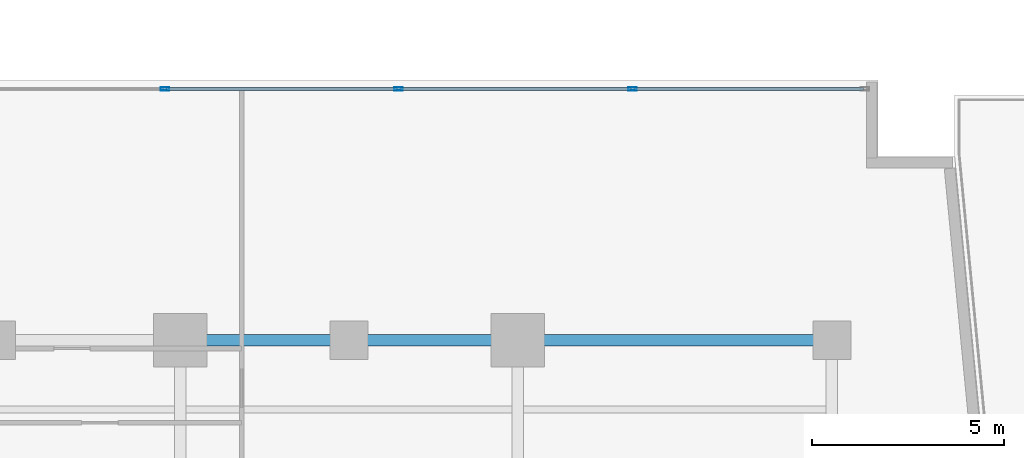
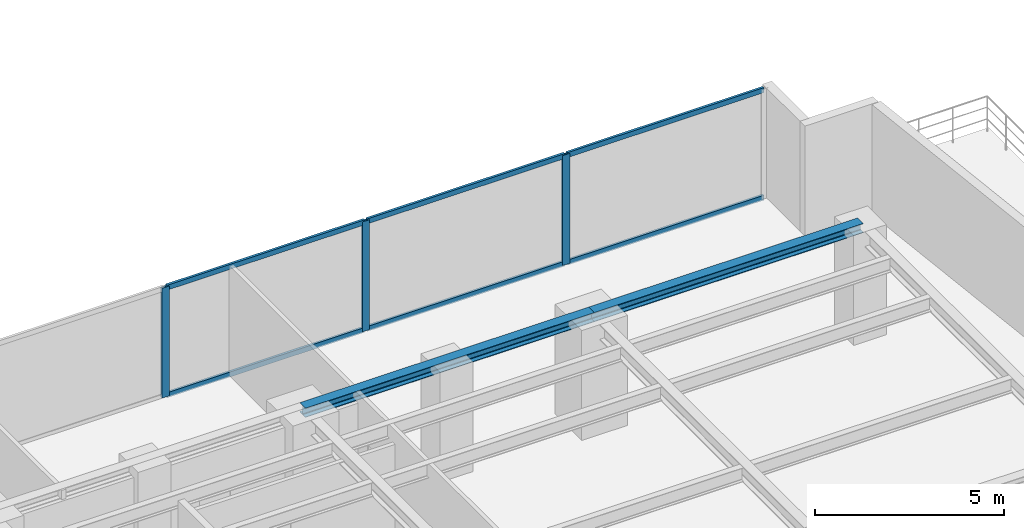
# One storey, part 11 of 26: 9 members, 2 beams, 1 element without a shape of its own.
"""IFC4 building model written with IfcOpenShell, lengths in metres."""

from ifc_helpers import new_model, si_unit, direction, frame, origin, origin_with_axes, origin_2d, place, context, subcontext, project, spatial, hollow_rectangle, i_section, extrude, source, transform, mapped, material, layer, layer_set, material_profile, profile_set, type_object, element, aggregate, save


model = new_model("IFC4")

# Units and contexts
model_context = context("Model", 3, precision=1e-05, world=origin(), true_north=direction((0.0, 1.0)))
body_context = subcontext(model_context, "Body", "Model", "MODEL_VIEW")
ifc_project = project(units=[si_unit("LENGTHUNIT", "METRE"), si_unit("AREAUNIT", "SQUARE_METRE"), si_unit("VOLUMEUNIT", "CUBIC_METRE"), si_unit("PLANEANGLEUNIT", "RADIAN"), si_unit("MASSUNIT", "GRAM", prefix="KILO")], contexts=[model_context])

# Site, building, storey
site_placement = place(None, origin())
site = spatial("IfcSite", under=ifc_project, at=site_placement, CompositionType="ELEMENT")
building_placement = place(site_placement, origin())
building = spatial("IfcBuilding", under=site, at=building_placement, Name="Kolvaren Waterfront Exchange", CompositionType="ELEMENT")
storey_placement = place(building_placement, frame((0.0, 0.0, 87.89990234375)))
storey = spatial("IfcBuildingStorey", under=building, at=storey_placement, Name="L22", CompositionType="ELEMENT", Elevation=87.89990234375)

# Beams
ifc_material_1 = material(Name="Steel S355", Category="steel")
ifc_material_profile_1 = material_profile(ifc_material_1, i_section(OverallWidth=0.300048828125, OverallDepth=0.300048828125, WebThickness=0.010986328125, FlangeThickness=0.01904296875, FilletRadius=0.027099609375, at=origin_2d()), Name="HEB300")
ifc_profile_set_1 = profile_set([ifc_material_profile_1], Name="Steel S355")
beam_type = type_object("IfcBeamType", Name="STR-BM-HEB300", PredefinedType="SPANDREL", material=ifc_profile_set_1)
beam_1_placement = place(storey_placement, frame((36.800048828125, 17.39990234375, 3.39013671875), z_axis=(1.0, 0.0, 0.0), x_axis=(0.0, 1.0, 0.0)))
element("IfcBeam", 1, at=beam_1_placement, inside=storey, type_object=beam_type, Name="L22 east-arm spandrel N3", PredefinedType="SPANDREL", context=body_context, shape_type="SweptSolid", body=[
    extrude(i_section(OverallWidth=0.300048828125, OverallDepth=0.300048828125, WebThickness=0.010986328125, FlangeThickness=0.01904296875, FilletRadius=0.027099609375, at=origin_2d()), origin(), (0.0, 0.0, 1.0), 8.800048828125),
])
beam_2_placement = place(storey_placement, frame((45.60009765625, 17.39990234375, 3.39013671875), z_axis=(1.0, 0.0, 0.0), x_axis=(0.0, 1.0, 0.0)))
element("IfcBeam", 2, at=beam_2_placement, inside=storey, type_object=beam_type, Name="L22 east-arm spandrel N4", PredefinedType="SPANDREL", context=body_context, shape_type="SweptSolid", body=[
    extrude(i_section(OverallWidth=0.300048828125, OverallDepth=0.300048828125, WebThickness=0.010986328125, FlangeThickness=0.01904296875, FilletRadius=0.027099609375, at=origin_2d()), origin(), (0.0, 0.0, 1.0), 8.199951171875),
])

# Curtain wall, members
ifc_material_2 = material(Name="Anodised bronze aluminium 6063-T6", Category="aluminium")
ifc_layer = layer(ifc_material_2, 0.219970703125, Name="Anodised bronze aluminium 6063-T6")
ifc_layer_set = layer_set([ifc_layer], Name="Anodised bronze aluminium 6063-T6")
curtain_wall_type = type_object("IfcCurtainWallType", Name="ARC-CW-SYS1", PredefinedType="USERDEFINED", material=ifc_layer_set)
curtain_wall_placement = place(storey_placement, origin())
curtain_wall = element("IfcCurtainWall", 3, at=curtain_wall_placement, inside=storey, type_object=curtain_wall_type, Name="L22 stick curtain wall CW1 (CW-L22-EN)", ObjectType="STICK CURTAIN WALL", PredefinedType="USERDEFINED")
ifc_material_3 = material(Name="Anodised aluminium 6063-T6", Category="aluminium")
ifc_material_profile_2 = material_profile(ifc_material_3, hollow_rectangle(XDim=0.080078125, YDim=0.219970703125, WallThickness=0.0048828125, at=origin_2d()), Name="ALU-MUL-220x80x5")
ifc_profile_set_2 = profile_set([ifc_material_profile_2], Name="Anodised aluminium 6063-T6")
member_type_1 = type_object("IfcMemberType", Name="ARC-CWM-220", PredefinedType="MULLION", material=ifc_profile_set_2)
shared_shape_1 = source(origin_with_axes(), body_context, "Body", "SweptSolid", [
    extrude(hollow_rectangle(XDim=0.080078125, YDim=0.219970703125, WallThickness=0.0048828125, at=origin_2d()), origin(), (0.0, 0.0, 1.0), 3.5400390625),
])
member_1_placement = place(storey_placement, frame((36.392578125, 23.9599609375, 0.0), z_axis=(0.0, 0.0, 1.0), x_axis=(0.0, 1.0, 0.0)))
member_1 = element("IfcMember", 4, at=member_1_placement, type_object=member_type_1, Name="CW1 mullion 2", PredefinedType="MULLION", context=body_context, shape_type="MappedRepresentation", body=[
    mapped(shared_shape_1, transform((0.0, 0.0, 0.0), x_axis=(1.0, 0.0, 0.0), y_axis=(0.0, 1.0, 0.0), z_axis=(0.0, 0.0, 1.0), scale=1.0)),
])
member_2_placement = place(storey_placement, frame((42.4951171875, 23.9599609375, 0.0), z_axis=(0.0, 0.0, 1.0), x_axis=(0.0, 1.0, 0.0)))
member_2 = element("IfcMember", 5, at=member_2_placement, type_object=member_type_1, Name="CW1 mullion 3", PredefinedType="MULLION", context=body_context, shape_type="MappedRepresentation", body=[
    mapped(shared_shape_1, transform((0.0, 0.0, 0.0), x_axis=(1.0, 0.0, 0.0), y_axis=(0.0, 1.0, 0.0), z_axis=(0.0, 0.0, 1.0), scale=1.0)),
])
member_3_placement = place(storey_placement, frame((48.597412109375, 23.9599609375, 0.0), z_axis=(0.0, 0.0, 1.0), x_axis=(0.0, 1.0, 0.0)))
member_3 = element("IfcMember", 6, at=member_3_placement, type_object=member_type_1, Name="CW1 mullion 4", PredefinedType="MULLION", context=body_context, shape_type="MappedRepresentation", body=[
    mapped(shared_shape_1, transform((0.0, 0.0, 0.0), x_axis=(1.0, 0.0, 0.0), y_axis=(0.0, 1.0, 0.0), z_axis=(0.0, 0.0, 1.0), scale=1.0)),
])
ifc_material_profile_3 = material_profile(ifc_material_3, hollow_rectangle(XDim=0.074951171875, YDim=0.159912109375, WallThickness=0.00439453125, at=origin_2d()), Name="ALU-TRN-160x75x4.5")
ifc_profile_set_3 = profile_set([ifc_material_profile_3], Name="Anodised aluminium 6063-T6")
member_type_2 = type_object("IfcMemberType", Name="ARC-CWT-160", PredefinedType="USERDEFINED", material=ifc_profile_set_3)
shared_shape_2 = source(origin_with_axes(), body_context, "Body", "SweptSolid", [
    extrude(hollow_rectangle(XDim=0.074951171875, YDim=0.159912109375, WallThickness=0.00439453125, at=origin_2d()), origin(), (0.0, 0.0, 1.0), 6.0224609375),
])
member_4_placement = place(storey_placement, frame((36.4326171875, 23.9599609375, 0.03759765625), z_axis=(1.0, 0.0, 0.0), x_axis=(0.0, 1.0, 0.0)))
member_4 = element("IfcMember", 7, at=member_4_placement, type_object=member_type_2, Name="CW1 transom 2.1", ObjectType="TRANSOM", PredefinedType="USERDEFINED", context=body_context, shape_type="MappedRepresentation", body=[
    mapped(shared_shape_2, transform((0.0, 0.0, 0.0), x_axis=(1.0, 0.0, 0.0), y_axis=(0.0, 1.0, 0.0), z_axis=(0.0, 0.0, 1.0), scale=1.0)),
])
member_5_placement = place(storey_placement, frame((36.4326171875, 23.9599609375, 3.502685546875), z_axis=(1.0, 0.0, 0.0), x_axis=(0.0, 1.0, 0.0)))
member_5 = element("IfcMember", 8, at=member_5_placement, type_object=member_type_2, Name="CW1 transom 2.2", ObjectType="TRANSOM", PredefinedType="USERDEFINED", context=body_context, shape_type="MappedRepresentation", body=[
    mapped(shared_shape_2, transform((0.0, 0.0, 0.0), x_axis=(1.0, 0.0, 0.0), y_axis=(0.0, 1.0, 0.0), z_axis=(0.0, 0.0, 1.0), scale=1.0)),
])
shared_shape_3 = source(origin_with_axes(), body_context, "Body", "SweptSolid", [
    extrude(hollow_rectangle(XDim=0.074951171875, YDim=0.159912109375, WallThickness=0.00439453125, at=origin_2d()), origin(), (0.0, 0.0, 1.0), 6.022705078125),
])
member_6_placement = place(storey_placement, frame((42.534912109375, 23.9599609375, 0.03759765625), z_axis=(1.0, 0.0, 0.0), x_axis=(0.0, 1.0, 0.0)))
member_6 = element("IfcMember", 9, at=member_6_placement, type_object=member_type_2, Name="CW1 transom 3.1", ObjectType="TRANSOM", PredefinedType="USERDEFINED", context=body_context, shape_type="MappedRepresentation", body=[
    mapped(shared_shape_3, transform((0.0, 0.0, 0.0), x_axis=(1.0, 0.0, 0.0), y_axis=(0.0, 1.0, 0.0), z_axis=(0.0, 0.0, 1.0), scale=1.0)),
])
member_7_placement = place(storey_placement, frame((42.534912109375, 23.9599609375, 3.502685546875), z_axis=(1.0, 0.0, 0.0), x_axis=(0.0, 1.0, 0.0)))
member_7 = element("IfcMember", 10, at=member_7_placement, type_object=member_type_2, Name="CW1 transom 3.2", ObjectType="TRANSOM", PredefinedType="USERDEFINED", context=body_context, shape_type="MappedRepresentation", body=[
    mapped(shared_shape_3, transform((0.0, 0.0, 0.0), x_axis=(1.0, 0.0, 0.0), y_axis=(0.0, 1.0, 0.0), z_axis=(0.0, 0.0, 1.0), scale=1.0)),
])
shared_shape_4 = source(origin_with_axes(), body_context, "Body", "SweptSolid", [
    extrude(hollow_rectangle(XDim=0.074951171875, YDim=0.159912109375, WallThickness=0.00439453125, at=origin_2d()), origin(), (0.0, 0.0, 1.0), 5.982666015625),
])
member_8_placement = place(storey_placement, frame((48.637451171875, 23.9599609375, 0.03759765625), z_axis=(1.0, 0.0, 0.0), x_axis=(0.0, 1.0, 0.0)))
member_8 = element("IfcMember", 11, at=member_8_placement, type_object=member_type_2, Name="CW1 transom 4.1", ObjectType="TRANSOM", PredefinedType="USERDEFINED", context=body_context, shape_type="MappedRepresentation", body=[
    mapped(shared_shape_4, transform((0.0, 0.0, 0.0), x_axis=(1.0, 0.0, 0.0), y_axis=(0.0, 1.0, 0.0), z_axis=(0.0, 0.0, 1.0), scale=1.0)),
])
member_9_placement = place(storey_placement, frame((48.637451171875, 23.9599609375, 3.502685546875), z_axis=(1.0, 0.0, 0.0), x_axis=(0.0, 1.0, 0.0)))
member_9 = element("IfcMember", 12, at=member_9_placement, type_object=member_type_2, Name="CW1 transom 4.2", ObjectType="TRANSOM", PredefinedType="USERDEFINED", context=body_context, shape_type="MappedRepresentation", body=[
    mapped(shared_shape_4, transform((0.0, 0.0, 0.0), x_axis=(1.0, 0.0, 0.0), y_axis=(0.0, 1.0, 0.0), z_axis=(0.0, 0.0, 1.0), scale=1.0)),
])
aggregate(curtain_wall, [member_1, member_2, member_3, member_4, member_5, member_6, member_7, member_8, member_9])

save(model, "model.ifc")
